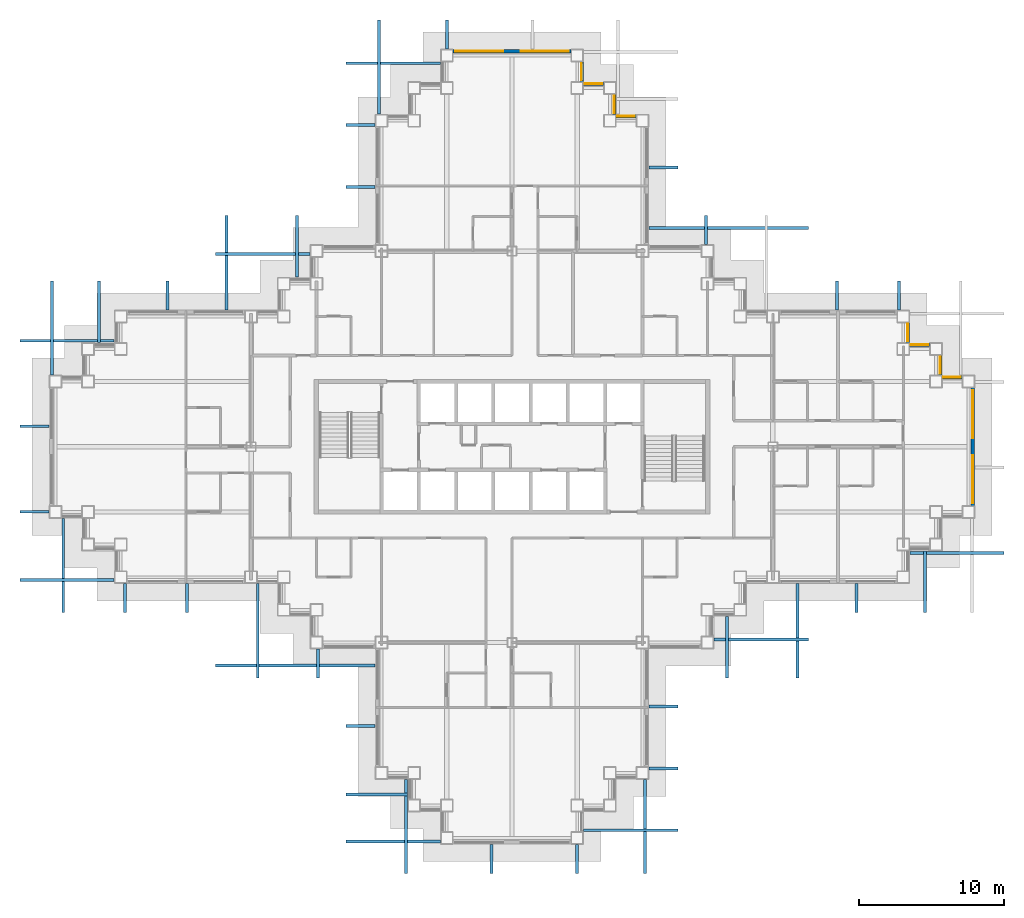
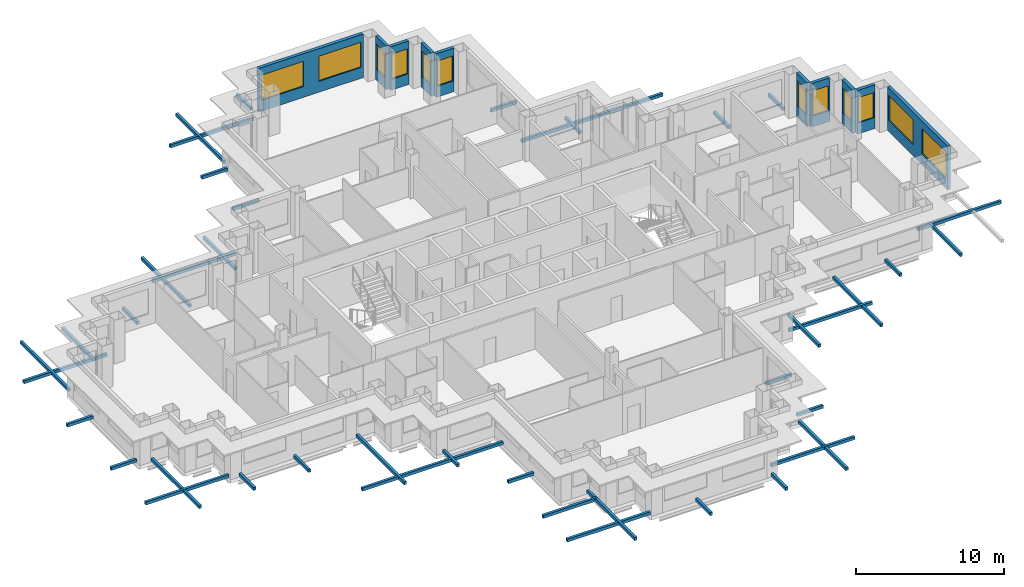
# One storey, part 11 of 17: 42 discrete accessories, 12 windows, 10 walls, 12 openings.
"""IFC4 building model written with IfcOpenShell, lengths in metres."""

from ifc_helpers import new_model, si_unit, direction, frame, frame_2d, origin, origin_2d, place, context, subcontext, project, spatial, rectangle, extrude, material, layer, layer_set, type_object, element, fill, save


model = new_model("IFC4")

# Units and contexts
model_context = context("Model", 3, precision=1e-05, world=origin(), true_north=direction((0.0, 1.0)))
body_context = subcontext(model_context, "Body", "Model", "MODEL_VIEW")
ifc_project = project(units=[si_unit("LENGTHUNIT", "METRE"), si_unit("AREAUNIT", "SQUARE_METRE"), si_unit("VOLUMEUNIT", "CUBIC_METRE"), si_unit("PLANEANGLEUNIT", "RADIAN"), si_unit("MASSUNIT", "GRAM", prefix="KILO")], contexts=[model_context])

# Site, building, storey
site_placement = place(None, origin())
site = spatial("IfcSite", under=ifc_project, at=site_placement, CompositionType="ELEMENT")
building_placement = place(site_placement, origin())
building = spatial("IfcBuilding", under=site, at=building_placement, Name="Caravel Reach Hotel and Residences", CompositionType="ELEMENT")
storey_placement = place(building_placement, frame((0.0, 0.0, 126.0)))
storey = spatial("IfcBuildingStorey", under=building, at=storey_placement, Name="L31", CompositionType="ELEMENT", Elevation=126.0)

# Wall, openings, windows
ifc_material_1 = material(Name="Insulated rainscreen wall, aluminium cladding", Category="aluminium")
ifc_layer = layer(ifc_material_1, 0.25)
ifc_layer_set = layer_set([ifc_layer], Name="EW1 Tower rainscreen wall")
wall_type = type_object("IfcWallType", Name="EW1 Tower rainscreen wall", PredefinedType="SOLIDWALL", material=ifc_layer_set)
wall_1_placement = place(storey_placement, frame((63.300048828125, 22.925048828125, 0.0), z_axis=(0.0, 0.0, 1.0), x_axis=(0.0, 1.0, 0.0)))
wall_1 = element("IfcWall", 1, at=wall_1_placement, inside=storey, type_object=wall_type, Name="External wall L31 E20.1", PredefinedType="SOLIDWALL", context=body_context, shape_type="SweptSolid", body=[
    extrude(rectangle(XDim=8.14990234375, YDim=0.25, at=frame_2d((4.074951171875, 0.0))), origin(), (0.0, 0.0, 1.0), 3.60009765625),
])
opening_1_placement = place(wall_1_placement, frame((0.175048828125, 0.0, 0.89990234375)))
opening_1 = element("IfcOpeningElement", 2, at=opening_1_placement, cuts=wall_1, Name="Opening WN4", PredefinedType="OPENING", context=body_context, shape_type="SweptSolid", body=[
    extrude(rectangle(XDim=3.300048828125, YDim=2.080078125, at=frame_2d((1.64990234375, 1.0400390625))), frame((0.0, 0.135009765625, 0.0), z_axis=(0.0, -1.0, 0.0), x_axis=(1.0, 0.0, 0.0)), (0.0, 0.0, 1.0), 0.27001953125),
])
opening_2_placement = place(wall_1_placement, frame((4.675048828125, 0.0, 0.89990234375)))
opening_2 = element("IfcOpeningElement", 3, at=opening_2_placement, cuts=wall_1, Name="Opening WN4", PredefinedType="OPENING", context=body_context, shape_type="SweptSolid", body=[
    extrude(rectangle(XDim=3.300048828125, YDim=2.080078125, at=frame_2d((1.64990234375, 1.0400390625))), frame((0.0, 0.135009765625, 0.0), z_axis=(0.0, -1.0, 0.0), x_axis=(1.0, 0.0, 0.0)), (0.0, 0.0, 1.0), 0.27001953125),
])
ifc_material_2 = material(Name="Dark low-e glazing in black aluminium frame", Category="aluminium")
window_type_1 = type_object("IfcWindowType", Name="Hotel guest room window 3300 x 2080", PartitioningType="SINGLE_PANEL", PredefinedType="WINDOW", material=ifc_material_2)
window_1_placement = place(opening_1_placement, origin())
window_1 = element("IfcWindow", 4, at=window_1_placement, inside=storey, type_object=window_type_1, Name="Window L31 E20.1.1", OverallHeight=2.080078125, OverallWidth=3.300048828125, PartitioningType="SINGLE_PANEL", PredefinedType="WINDOW", context=body_context, shape_type="SweptSolid", body=[
    extrude(rectangle(XDim=3.300048828125, YDim=2.080078125, at=frame_2d((1.64990234375, 1.0400390625))), frame((0.0, 0.030029296875, 0.0), z_axis=(0.0, -1.0, 0.0), x_axis=(1.0, 0.0, 0.0)), (0.0, 0.0, 1.0), 0.06005859375),
])
fill(opening_1, window_1)
window_2_placement = place(opening_2_placement, origin())
window_2 = element("IfcWindow", 5, at=window_2_placement, inside=storey, type_object=window_type_1, Name="Window L31 E20.1.2", OverallHeight=2.080078125, OverallWidth=3.300048828125, PartitioningType="SINGLE_PANEL", PredefinedType="WINDOW", context=body_context, shape_type="SweptSolid", body=[
    extrude(rectangle(XDim=3.300048828125, YDim=2.080078125, at=frame_2d((1.64990234375, 1.0400390625))), frame((0.0, 0.030029296875, 0.0), z_axis=(0.0, -1.0, 0.0), x_axis=(1.0, 0.0, 0.0)), (0.0, 0.0, 1.0), 0.06005859375),
])
fill(opening_2, window_2)

# Wall, opening, window
wall_2_placement = place(storey_placement, frame((62.574951171875, 31.800048828125, 0.0), z_axis=(0.0, 0.0, 1.0), x_axis=(-1.0, 0.0, 0.0)))
wall_2 = element("IfcWall", 6, at=wall_2_placement, inside=storey, type_object=wall_type, Name="External wall L31 N21.1", PredefinedType="SOLIDWALL", context=body_context, shape_type="SweptSolid", body=[
    extrude(rectangle(XDim=1.39990234375, YDim=0.25, at=frame_2d((0.699951171875, 0.0))), origin(), (0.0, 0.0, 1.0), 3.60009765625),
])
opening_3_placement = place(wall_2_placement, frame((0.10009765625, 0.0, 0.89990234375)))
opening_3 = element("IfcOpeningElement", 7, at=opening_3_placement, cuts=wall_2, Name="Opening WN9", PredefinedType="OPENING", context=body_context, shape_type="SweptSolid", body=[
    extrude(rectangle(XDim=1.199951171875, YDim=2.080078125, at=frame_2d((0.60009765625, 1.0400390625))), frame((0.0, 0.135009765625, 0.0), z_axis=(0.0, -1.0, 0.0), x_axis=(1.0, 0.0, 0.0)), (0.0, 0.0, 1.0), 0.27001953125),
])
ifc_material_3 = material(Name="Dark low-e glazing in black aluminium frame", Category="aluminium")
window_type_2 = type_object("IfcWindowType", Name="Hotel suite corner window 1200 x 2080", PartitioningType="SINGLE_PANEL", PredefinedType="WINDOW", material=ifc_material_3)
window_3_placement = place(opening_3_placement, origin())
window_3 = element("IfcWindow", 8, at=window_3_placement, inside=storey, type_object=window_type_2, Name="Window L31 N21.1.1", OverallHeight=2.080078125, OverallWidth=1.199951171875, PartitioningType="SINGLE_PANEL", PredefinedType="WINDOW", context=body_context, shape_type="SweptSolid", body=[
    extrude(rectangle(XDim=1.199951171875, YDim=2.080078125, at=frame_2d((0.60009765625, 1.0400390625))), frame((0.0, 0.030029296875, 0.0), z_axis=(0.0, -1.0, 0.0), x_axis=(1.0, 0.0, 0.0)), (0.0, 0.0, 1.0), 0.06005859375),
])
fill(opening_3, window_3)

wall_3_placement = place(storey_placement, frame((61.050048828125, 31.925048828125, 0.0), z_axis=(0.0, 0.0, 1.0), x_axis=(0.0, 1.0, 0.0)))
wall_3 = element("IfcWall", 9, at=wall_3_placement, inside=storey, type_object=wall_type, Name="External wall L31 E22.1", PredefinedType="SOLIDWALL", context=body_context, shape_type="SweptSolid", body=[
    extrude(rectangle(XDim=1.39990234375, YDim=0.25, at=frame_2d((0.699951171875, 0.0))), origin(), (0.0, 0.0, 1.0), 3.60009765625),
])
opening_4_placement = place(wall_3_placement, frame((0.10009765625, 0.0, 0.89990234375)))
opening_4 = element("IfcOpeningElement", 10, at=opening_4_placement, cuts=wall_3, Name="Opening WN9", PredefinedType="OPENING", context=body_context, shape_type="SweptSolid", body=[
    extrude(rectangle(XDim=1.199951171875, YDim=2.080078125, at=frame_2d((0.60009765625, 1.0400390625))), frame((0.0, 0.135009765625, 0.0), z_axis=(0.0, -1.0, 0.0), x_axis=(1.0, 0.0, 0.0)), (0.0, 0.0, 1.0), 0.27001953125),
])
window_4_placement = place(opening_4_placement, origin())
window_4 = element("IfcWindow", 11, at=window_4_placement, inside=storey, type_object=window_type_2, Name="Window L31 E22.1.1", OverallHeight=2.080078125, OverallWidth=1.199951171875, PartitioningType="SINGLE_PANEL", PredefinedType="WINDOW", context=body_context, shape_type="SweptSolid", body=[
    extrude(rectangle(XDim=1.199951171875, YDim=2.080078125, at=frame_2d((0.60009765625, 1.0400390625))), frame((0.0, 0.030029296875, 0.0), z_axis=(0.0, -1.0, 0.0), x_axis=(1.0, 0.0, 0.0)), (0.0, 0.0, 1.0), 0.06005859375),
])
fill(opening_4, window_4)

wall_4_placement = place(storey_placement, frame((60.324951171875, 34.050048828125, 0.0), z_axis=(0.0, 0.0, 1.0), x_axis=(-1.0, 0.0, 0.0)))
wall_4 = element("IfcWall", 12, at=wall_4_placement, inside=storey, type_object=wall_type, Name="External wall L31 N23.1", PredefinedType="SOLIDWALL", context=body_context, shape_type="SweptSolid", body=[
    extrude(rectangle(XDim=1.39990234375, YDim=0.25, at=frame_2d((0.699951171875, 0.0))), origin(), (0.0, 0.0, 1.0), 3.60009765625),
])
opening_5_placement = place(wall_4_placement, frame((0.10009765625, 0.0, 0.89990234375)))
opening_5 = element("IfcOpeningElement", 13, at=opening_5_placement, cuts=wall_4, Name="Opening WN9", PredefinedType="OPENING", context=body_context, shape_type="SweptSolid", body=[
    extrude(rectangle(XDim=1.199951171875, YDim=2.080078125, at=frame_2d((0.60009765625, 1.0400390625))), frame((0.0, 0.135009765625, 0.0), z_axis=(0.0, -1.0, 0.0), x_axis=(1.0, 0.0, 0.0)), (0.0, 0.0, 1.0), 0.27001953125),
])
window_5_placement = place(opening_5_placement, origin())
window_5 = element("IfcWindow", 14, at=window_5_placement, inside=storey, type_object=window_type_2, Name="Window L31 N23.1.1", OverallHeight=2.080078125, OverallWidth=1.199951171875, PartitioningType="SINGLE_PANEL", PredefinedType="WINDOW", context=body_context, shape_type="SweptSolid", body=[
    extrude(rectangle(XDim=1.199951171875, YDim=2.080078125, at=frame_2d((0.60009765625, 1.0400390625))), frame((0.0, 0.030029296875, 0.0), z_axis=(0.0, -1.0, 0.0), x_axis=(1.0, 0.0, 0.0)), (0.0, 0.0, 1.0), 0.06005859375),
])
fill(opening_5, window_5)

wall_5_placement = place(storey_placement, frame((58.800048828125, 34.175048828125, 0.0), z_axis=(0.0, 0.0, 1.0), x_axis=(0.0, 1.0, 0.0)))
wall_5 = element("IfcWall", 15, at=wall_5_placement, inside=storey, type_object=wall_type, Name="External wall L31 E24.1", PredefinedType="SOLIDWALL", context=body_context, shape_type="SweptSolid", body=[
    extrude(rectangle(XDim=1.39990234375, YDim=0.25, at=frame_2d((0.699951171875, 0.0))), origin(), (0.0, 0.0, 1.0), 3.60009765625),
])
opening_6_placement = place(wall_5_placement, frame((0.10009765625, 0.0, 0.89990234375)))
opening_6 = element("IfcOpeningElement", 16, at=opening_6_placement, cuts=wall_5, Name="Opening WN9", PredefinedType="OPENING", context=body_context, shape_type="SweptSolid", body=[
    extrude(rectangle(XDim=1.199951171875, YDim=2.080078125, at=frame_2d((0.60009765625, 1.0400390625))), frame((0.0, 0.135009765625, 0.0), z_axis=(0.0, -1.0, 0.0), x_axis=(1.0, 0.0, 0.0)), (0.0, 0.0, 1.0), 0.27001953125),
])
window_6_placement = place(opening_6_placement, origin())
window_6 = element("IfcWindow", 17, at=window_6_placement, inside=storey, type_object=window_type_2, Name="Window L31 E24.1.1", OverallHeight=2.080078125, OverallWidth=1.199951171875, PartitioningType="SINGLE_PANEL", PredefinedType="WINDOW", context=body_context, shape_type="SweptSolid", body=[
    extrude(rectangle(XDim=1.199951171875, YDim=2.080078125, at=frame_2d((0.60009765625, 1.0400390625))), frame((0.0, 0.030029296875, 0.0), z_axis=(0.0, -1.0, 0.0), x_axis=(1.0, 0.0, 0.0)), (0.0, 0.0, 1.0), 0.06005859375),
])
fill(opening_6, window_6)

wall_6_placement = place(storey_placement, frame((40.074951171875, 49.800048828125, 0.0), z_axis=(0.0, 0.0, 1.0), x_axis=(-1.0, 0.0, 0.0)))
wall_6 = element("IfcWall", 18, at=wall_6_placement, inside=storey, type_object=wall_type, Name="External wall L31 N31.1", PredefinedType="SOLIDWALL", context=body_context, shape_type="SweptSolid", body=[
    extrude(rectangle(XDim=1.39990234375, YDim=0.25, at=frame_2d((0.699951171875, 0.0))), origin(), (0.0, 0.0, 1.0), 3.60009765625),
])
opening_7_placement = place(wall_6_placement, frame((0.10009765625, 0.0, 0.89990234375)))
opening_7 = element("IfcOpeningElement", 19, at=opening_7_placement, cuts=wall_6, Name="Opening WN9", PredefinedType="OPENING", context=body_context, shape_type="SweptSolid", body=[
    extrude(rectangle(XDim=1.199951171875, YDim=2.080078125, at=frame_2d((0.60009765625, 1.0400390625))), frame((0.0, 0.135009765625, 0.0), z_axis=(0.0, -1.0, 0.0), x_axis=(1.0, 0.0, 0.0)), (0.0, 0.0, 1.0), 0.27001953125),
])
window_7_placement = place(opening_7_placement, origin())
window_7 = element("IfcWindow", 20, at=window_7_placement, inside=storey, type_object=window_type_2, Name="Window L31 N31.1.1", OverallHeight=2.080078125, OverallWidth=1.199951171875, PartitioningType="SINGLE_PANEL", PredefinedType="WINDOW", context=body_context, shape_type="SweptSolid", body=[
    extrude(rectangle(XDim=1.199951171875, YDim=2.080078125, at=frame_2d((0.60009765625, 1.0400390625))), frame((0.0, 0.030029296875, 0.0), z_axis=(0.0, -1.0, 0.0), x_axis=(1.0, 0.0, 0.0)), (0.0, 0.0, 1.0), 0.06005859375),
])
fill(opening_7, window_7)

wall_7_placement = place(storey_placement, frame((38.550048828125, 49.925048828125, 0.0), z_axis=(0.0, 0.0, 1.0), x_axis=(0.0, 1.0, 0.0)))
wall_7 = element("IfcWall", 21, at=wall_7_placement, inside=storey, type_object=wall_type, Name="External wall L31 E32.1", PredefinedType="SOLIDWALL", context=body_context, shape_type="SweptSolid", body=[
    extrude(rectangle(XDim=1.39990234375, YDim=0.25, at=frame_2d((0.699951171875, 0.0))), origin(), (0.0, 0.0, 1.0), 3.60009765625),
])
opening_8_placement = place(wall_7_placement, frame((0.10009765625, 0.0, 0.89990234375)))
opening_8 = element("IfcOpeningElement", 22, at=opening_8_placement, cuts=wall_7, Name="Opening WN9", PredefinedType="OPENING", context=body_context, shape_type="SweptSolid", body=[
    extrude(rectangle(XDim=1.199951171875, YDim=2.080078125, at=frame_2d((0.60009765625, 1.0400390625))), frame((0.0, 0.135009765625, 0.0), z_axis=(0.0, -1.0, 0.0), x_axis=(1.0, 0.0, 0.0)), (0.0, 0.0, 1.0), 0.27001953125),
])
window_8_placement = place(opening_8_placement, origin())
window_8 = element("IfcWindow", 23, at=window_8_placement, inside=storey, type_object=window_type_2, Name="Window L31 E32.1.1", OverallHeight=2.080078125, OverallWidth=1.199951171875, PartitioningType="SINGLE_PANEL", PredefinedType="WINDOW", context=body_context, shape_type="SweptSolid", body=[
    extrude(rectangle(XDim=1.199951171875, YDim=2.080078125, at=frame_2d((0.60009765625, 1.0400390625))), frame((0.0, 0.030029296875, 0.0), z_axis=(0.0, -1.0, 0.0), x_axis=(1.0, 0.0, 0.0)), (0.0, 0.0, 1.0), 0.06005859375),
])
fill(opening_8, window_8)

wall_8_placement = place(storey_placement, frame((37.824951171875, 52.050048828125, 0.0), z_axis=(0.0, 0.0, 1.0), x_axis=(-1.0, 0.0, 0.0)))
wall_8 = element("IfcWall", 24, at=wall_8_placement, inside=storey, type_object=wall_type, Name="External wall L31 N33.1", PredefinedType="SOLIDWALL", context=body_context, shape_type="SweptSolid", body=[
    extrude(rectangle(XDim=1.39990234375, YDim=0.25, at=frame_2d((0.699951171875, 0.0))), origin(), (0.0, 0.0, 1.0), 3.60009765625),
])
opening_9_placement = place(wall_8_placement, frame((0.10009765625, 0.0, 0.89990234375)))
opening_9 = element("IfcOpeningElement", 25, at=opening_9_placement, cuts=wall_8, Name="Opening WN9", PredefinedType="OPENING", context=body_context, shape_type="SweptSolid", body=[
    extrude(rectangle(XDim=1.199951171875, YDim=2.080078125, at=frame_2d((0.60009765625, 1.0400390625))), frame((0.0, 0.135009765625, 0.0), z_axis=(0.0, -1.0, 0.0), x_axis=(1.0, 0.0, 0.0)), (0.0, 0.0, 1.0), 0.27001953125),
])
window_9_placement = place(opening_9_placement, origin())
window_9 = element("IfcWindow", 26, at=window_9_placement, inside=storey, type_object=window_type_2, Name="Window L31 N33.1.1", OverallHeight=2.080078125, OverallWidth=1.199951171875, PartitioningType="SINGLE_PANEL", PredefinedType="WINDOW", context=body_context, shape_type="SweptSolid", body=[
    extrude(rectangle(XDim=1.199951171875, YDim=2.080078125, at=frame_2d((0.60009765625, 1.0400390625))), frame((0.0, 0.030029296875, 0.0), z_axis=(0.0, -1.0, 0.0), x_axis=(1.0, 0.0, 0.0)), (0.0, 0.0, 1.0), 0.06005859375),
])
fill(opening_9, window_9)

wall_9_placement = place(storey_placement, frame((36.300048828125, 52.175048828125, 0.0), z_axis=(0.0, 0.0, 1.0), x_axis=(0.0, 1.0, 0.0)))
wall_9 = element("IfcWall", 27, at=wall_9_placement, inside=storey, type_object=wall_type, Name="External wall L31 E34.1", PredefinedType="SOLIDWALL", context=body_context, shape_type="SweptSolid", body=[
    extrude(rectangle(XDim=1.39990234375, YDim=0.25, at=frame_2d((0.699951171875, 0.0))), origin(), (0.0, 0.0, 1.0), 3.60009765625),
])
opening_10_placement = place(wall_9_placement, frame((0.10009765625, 0.0, 0.89990234375)))
opening_10 = element("IfcOpeningElement", 28, at=opening_10_placement, cuts=wall_9, Name="Opening WN9", PredefinedType="OPENING", context=body_context, shape_type="SweptSolid", body=[
    extrude(rectangle(XDim=1.199951171875, YDim=2.080078125, at=frame_2d((0.60009765625, 1.0400390625))), frame((0.0, 0.135009765625, 0.0), z_axis=(0.0, -1.0, 0.0), x_axis=(1.0, 0.0, 0.0)), (0.0, 0.0, 1.0), 0.27001953125),
])
window_10_placement = place(opening_10_placement, origin())
window_10 = element("IfcWindow", 29, at=window_10_placement, inside=storey, type_object=window_type_2, Name="Window L31 E34.1.1", OverallHeight=2.080078125, OverallWidth=1.199951171875, PartitioningType="SINGLE_PANEL", PredefinedType="WINDOW", context=body_context, shape_type="SweptSolid", body=[
    extrude(rectangle(XDim=1.199951171875, YDim=2.080078125, at=frame_2d((0.60009765625, 1.0400390625))), frame((0.0, 0.030029296875, 0.0), z_axis=(0.0, -1.0, 0.0), x_axis=(1.0, 0.0, 0.0)), (0.0, 0.0, 1.0), 0.06005859375),
])
fill(opening_10, window_10)

# Wall, openings, windows
wall_10_placement = place(storey_placement, frame((35.574951171875, 54.300048828125, 0.0), z_axis=(0.0, 0.0, 1.0), x_axis=(-1.0, 0.0, 0.0)))
wall_10 = element("IfcWall", 30, at=wall_10_placement, inside=storey, type_object=wall_type, Name="External wall L31 N35.1", PredefinedType="SOLIDWALL", context=body_context, shape_type="SweptSolid", body=[
    extrude(rectangle(XDim=8.14990234375, YDim=0.25, at=frame_2d((4.074951171875, 0.0))), origin(), (0.0, 0.0, 1.0), 3.60009765625),
])
opening_11_placement = place(wall_10_placement, frame((0.175048828125, 0.0, 0.89990234375)))
opening_11 = element("IfcOpeningElement", 31, at=opening_11_placement, cuts=wall_10, Name="Opening WN4", PredefinedType="OPENING", context=body_context, shape_type="SweptSolid", body=[
    extrude(rectangle(XDim=3.300048828125, YDim=2.080078125, at=frame_2d((1.64990234375, 1.0400390625))), frame((0.0, 0.135009765625, 0.0), z_axis=(0.0, -1.0, 0.0), x_axis=(1.0, 0.0, 0.0)), (0.0, 0.0, 1.0), 0.27001953125),
])
opening_12_placement = place(wall_10_placement, frame((4.675048828125, 0.0, 0.89990234375)))
opening_12 = element("IfcOpeningElement", 32, at=opening_12_placement, cuts=wall_10, Name="Opening WN4", PredefinedType="OPENING", context=body_context, shape_type="SweptSolid", body=[
    extrude(rectangle(XDim=3.300048828125, YDim=2.080078125, at=frame_2d((1.64990234375, 1.0400390625))), frame((0.0, 0.135009765625, 0.0), z_axis=(0.0, -1.0, 0.0), x_axis=(1.0, 0.0, 0.0)), (0.0, 0.0, 1.0), 0.27001953125),
])
window_11_placement = place(opening_11_placement, origin())
window_11 = element("IfcWindow", 33, at=window_11_placement, inside=storey, type_object=window_type_1, Name="Window L31 N35.1.1", OverallHeight=2.080078125, OverallWidth=3.300048828125, PartitioningType="SINGLE_PANEL", PredefinedType="WINDOW", context=body_context, shape_type="SweptSolid", body=[
    extrude(rectangle(XDim=3.300048828125, YDim=2.080078125, at=frame_2d((1.64990234375, 1.0400390625))), frame((0.0, 0.030029296875, 0.0), z_axis=(0.0, -1.0, 0.0), x_axis=(1.0, 0.0, 0.0)), (0.0, 0.0, 1.0), 0.06005859375),
])
fill(opening_11, window_11)
window_12_placement = place(opening_12_placement, origin())
window_12 = element("IfcWindow", 34, at=window_12_placement, inside=storey, type_object=window_type_1, Name="Window L31 N35.1.2", OverallHeight=2.080078125, OverallWidth=3.300048828125, PartitioningType="SINGLE_PANEL", PredefinedType="WINDOW", context=body_context, shape_type="SweptSolid", body=[
    extrude(rectangle(XDim=3.300048828125, YDim=2.080078125, at=frame_2d((1.64990234375, 1.0400390625))), frame((0.0, 0.030029296875, 0.0), z_axis=(0.0, -1.0, 0.0), x_axis=(1.0, 0.0, 0.0)), (0.0, 0.0, 1.0), 0.06005859375),
])
fill(opening_12, window_12)

# Discrete accessories
ifc_material_4 = material(Name="Black powder-coated aluminium", Category="aluminium")
discrete_accessory_type = type_object("IfcDiscreteAccessoryType", Name="BR1 Screen bracket", PredefinedType="BRACKET", material=ifc_material_4)
discrete_accessory_1_placement = place(storey_placement, frame((21.050048828125, 7.736572265625, 0.10009765625), z_axis=(0.0, 0.0, 1.0), x_axis=(-1.0, 0.0, 0.0)))
element("IfcDiscreteAccessory", 35, at=discrete_accessory_1_placement, inside=storey, type_object=discrete_accessory_type, Name="Screen bracket L31 1.1.2", PredefinedType="BRACKET", context=body_context, shape_type="SweptSolid", body=[
    extrude(rectangle(XDim=2.0, YDim=0.199951171875, at=origin_2d()), origin(), (0.0, 0.0, 1.0), 0.25),
])
discrete_accessory_2_placement = place(storey_placement, frame((22.175048828125, 3.00341796875, 0.10009765625), z_axis=(0.0, 0.0, 1.0), x_axis=(-1.0, 0.0, 0.0)))
element("IfcDiscreteAccessory", 36, at=discrete_accessory_2_placement, inside=storey, type_object=discrete_accessory_type, Name="Screen bracket L31 1.2.2", PredefinedType="BRACKET", context=body_context, shape_type="SweptSolid", body=[
    extrude(rectangle(XDim=4.25, YDim=0.199951171875, at=origin_2d()), origin(), (0.0, 0.0, 1.0), 0.25),
])
for number, where, z_axis, x_axis, name in (
    (37, (23.300048828125, -0.22998046875, 0.10009765625), (0.0, 0.0, 1.0), (-1.0, 0.0, 0.0), "Screen bracket L31 1.3.2"),
    (38, (24.179931640625, 0.800048828125, 0.10009765625), (0.0, 0.0, 1.0), (0.0, -1.0, 0.0), "Screen bracket L31 2.1.2"),
):
    element("IfcDiscreteAccessory", number, at=place(storey_placement, frame(where, z_axis=z_axis, x_axis=x_axis)), inside=storey, type_object=discrete_accessory_type, Name=name, PredefinedType="BRACKET", context=body_context, shape_type="SweptSolid", body=[
        extrude(rectangle(XDim=6.5, YDim=0.199951171875, at=origin_2d()), origin(), (0.0, 0.0, 1.0), 0.25),
    ])
for number, where, z_axis, x_axis, name in (
    (39, (30.080078125, -1.449951171875, 0.10009765625), (0.0, 0.0, 1.0), (0.0, -1.0, 0.0), "Screen bracket L31 2.2.2"),
    (40, (35.97998046875, -1.449951171875, 0.10009765625), (0.0, 0.0, 1.0), (0.0, -1.0, 0.0), "Screen bracket L31 2.3.2"),
):
    element("IfcDiscreteAccessory", number, at=place(storey_placement, frame(where, z_axis=z_axis, x_axis=x_axis)), inside=storey, type_object=discrete_accessory_type, Name=name, PredefinedType="BRACKET", context=body_context, shape_type="SweptSolid", body=[
        extrude(rectangle(XDim=2.0, YDim=0.199951171875, at=origin_2d()), origin(), (0.0, 0.0, 1.0), 0.25),
    ])
for number, where, z_axis, x_axis, name in (
    (41, (40.679931640625, 0.800048828125, 0.10009765625), (0.0, 0.0, 1.0), (0.0, -1.0, 0.0), "Screen bracket L31 2.4.2"),
    (42, (39.699951171875, 0.53662109375, 0.10009765625), (0.0, 0.0, 1.0), (1.0, 0.0, 0.0), "Screen bracket L31 3.1.2"),
):
    element("IfcDiscreteAccessory", number, at=place(storey_placement, frame(where, z_axis=z_axis, x_axis=x_axis)), inside=storey, type_object=discrete_accessory_type, Name=name, PredefinedType="BRACKET", context=body_context, shape_type="SweptSolid", body=[
        extrude(rectangle(XDim=6.5, YDim=0.199951171875, at=origin_2d()), origin(), (0.0, 0.0, 1.0), 0.25),
    ])
for number, where, z_axis, x_axis, name in (
    (43, (41.949951171875, 4.80322265625, 0.10009765625), (0.0, 0.0, 1.0), (1.0, 0.0, 0.0), "Screen bracket L31 3.2.2"),
    (44, (41.949951171875, 9.070068359375, 0.10009765625), (0.0, 0.0, 1.0), (1.0, 0.0, 0.0), "Screen bracket L31 3.3.2"),
):
    element("IfcDiscreteAccessory", number, at=place(storey_placement, frame(where, z_axis=z_axis, x_axis=x_axis)), inside=storey, type_object=discrete_accessory_type, Name=name, PredefinedType="BRACKET", context=body_context, shape_type="SweptSolid", body=[
        extrude(rectangle(XDim=2.0, YDim=0.199951171875, at=origin_2d()), origin(), (0.0, 0.0, 1.0), 0.25),
    ])
discrete_accessory_3_placement = place(storey_placement, frame((46.344970703125, 13.175048828125, 0.10009765625), z_axis=(0.0, 0.0, 1.0), x_axis=(0.0, -1.0, 0.0)))
element("IfcDiscreteAccessory", 45, at=discrete_accessory_3_placement, inside=storey, type_object=discrete_accessory_type, Name="Screen bracket L31 4.1.2", PredefinedType="BRACKET", context=body_context, shape_type="SweptSolid", body=[
    extrude(rectangle(XDim=4.25, YDim=0.199951171875, at=origin_2d()), origin(), (0.0, 0.0, 1.0), 0.25),
])
for number, where, z_axis, x_axis, name in (
    (46, (51.195068359375, 14.300048828125, 0.10009765625), (0.0, 0.0, 1.0), (0.0, -1.0, 0.0), "Screen bracket L31 4.2.2"),
    (47, (48.699951171875, 13.7099609375, 0.10009765625), (0.0, 0.0, 1.0), (1.0, 0.0, 0.0), "Screen bracket L31 5.1.2"),
):
    element("IfcDiscreteAccessory", number, at=place(storey_placement, frame(where, z_axis=z_axis, x_axis=x_axis)), inside=storey, type_object=discrete_accessory_type, Name=name, PredefinedType="BRACKET", context=body_context, shape_type="SweptSolid", body=[
        extrude(rectangle(XDim=6.5, YDim=0.199951171875, at=origin_2d()), origin(), (0.0, 0.0, 1.0), 0.25),
    ])
discrete_accessory_4_placement = place(storey_placement, frame((55.263427734375, 16.550048828125, 0.10009765625), z_axis=(0.0, 0.0, 1.0), x_axis=(0.0, -1.0, 0.0)))
element("IfcDiscreteAccessory", 48, at=discrete_accessory_4_placement, inside=storey, type_object=discrete_accessory_type, Name="Screen bracket L31 6.1.2", PredefinedType="BRACKET", context=body_context, shape_type="SweptSolid", body=[
    extrude(rectangle(XDim=2.0, YDim=0.199951171875, at=origin_2d()), origin(), (0.0, 0.0, 1.0), 0.25),
])
discrete_accessory_5_placement = place(storey_placement, frame((59.99658203125, 17.675048828125, 0.10009765625), z_axis=(0.0, 0.0, 1.0), x_axis=(0.0, -1.0, 0.0)))
element("IfcDiscreteAccessory", 49, at=discrete_accessory_5_placement, inside=storey, type_object=discrete_accessory_type, Name="Screen bracket L31 6.2.2", PredefinedType="BRACKET", context=body_context, shape_type="SweptSolid", body=[
    extrude(rectangle(XDim=4.25, YDim=0.199951171875, at=origin_2d()), origin(), (0.0, 0.0, 1.0), 0.25),
])
discrete_accessory_6_placement = place(storey_placement, frame((62.199951171875, 19.679931640625, 0.10009765625), z_axis=(0.0, 0.0, 1.0), x_axis=(1.0, 0.0, 0.0)))
element("IfcDiscreteAccessory", 50, at=discrete_accessory_6_placement, inside=storey, type_object=discrete_accessory_type, Name="Screen bracket L31 7.1.2", PredefinedType="BRACKET", context=body_context, shape_type="SweptSolid", body=[
    extrude(rectangle(XDim=6.5, YDim=0.199951171875, at=origin_2d()), origin(), (0.0, 0.0, 1.0), 0.25),
])
for number, where, z_axis, x_axis, name in (
    (51, (58.19677734375, 37.449951171875, 0.10009765625), (0.0, 0.0, 1.0), (0.0, 1.0, 0.0), "Screen bracket L31 8.2.2"),
    (52, (53.929931640625, 37.449951171875, 0.10009765625), (0.0, 0.0, 1.0), (0.0, 1.0, 0.0), "Screen bracket L31 8.3.2"),
):
    element("IfcDiscreteAccessory", number, at=place(storey_placement, frame(where, z_axis=z_axis, x_axis=x_axis)), inside=storey, type_object=discrete_accessory_type, Name=name, PredefinedType="BRACKET", context=body_context, shape_type="SweptSolid", body=[
        extrude(rectangle(XDim=2.0, YDim=0.199951171875, at=origin_2d()), origin(), (0.0, 0.0, 1.0), 0.25),
    ])
discrete_accessory_7_placement = place(storey_placement, frame((46.449951171875, 42.090087890625, 0.10009765625), z_axis=(0.0, 0.0, 1.0), x_axis=(1.0, 0.0, 0.0)))
element("IfcDiscreteAccessory", 53, at=discrete_accessory_7_placement, inside=storey, type_object=discrete_accessory_type, Name="Screen bracket L31 9.1.2", PredefinedType="BRACKET", context=body_context, shape_type="SweptSolid", body=[
    extrude(rectangle(XDim=11.0, YDim=0.199951171875, at=origin_2d()), origin(), (0.0, 0.0, 1.0), 0.25),
])
for number, where, z_axis, x_axis, name in (
    (54, (44.89501953125, 41.949951171875, 0.10009765625), (0.0, 0.0, 1.0), (0.0, 1.0, 0.0), "Screen bracket L31 10.2.2"),
    (55, (41.949951171875, 46.263427734375, 0.10009765625), (0.0, 0.0, 1.0), (1.0, 0.0, 0.0), "Screen bracket L31 11.1.2"),
    (56, (27.02001953125, 55.449951171875, 0.10009765625), (0.0, 0.0, 1.0), (0.0, 1.0, 0.0), "Screen bracket L31 12.3.2"),
):
    element("IfcDiscreteAccessory", number, at=place(storey_placement, frame(where, z_axis=z_axis, x_axis=x_axis)), inside=storey, type_object=discrete_accessory_type, Name=name, PredefinedType="BRACKET", context=body_context, shape_type="SweptSolid", body=[
        extrude(rectangle(XDim=2.0, YDim=0.199951171875, at=origin_2d()), origin(), (0.0, 0.0, 1.0), 0.25),
    ])
for number, where, z_axis, x_axis, name in (
    (57, (22.320068359375, 53.199951171875, 0.10009765625), (0.0, 0.0, 1.0), (0.0, 1.0, 0.0), "Screen bracket L31 12.4.2"),
    (58, (23.300048828125, 53.46337890625, 0.10009765625), (0.0, 0.0, 1.0), (-1.0, 0.0, 0.0), "Screen bracket L31 13.1.2"),
):
    element("IfcDiscreteAccessory", number, at=place(storey_placement, frame(where, z_axis=z_axis, x_axis=x_axis)), inside=storey, type_object=discrete_accessory_type, Name=name, PredefinedType="BRACKET", context=body_context, shape_type="SweptSolid", body=[
        extrude(rectangle(XDim=6.5, YDim=0.199951171875, at=origin_2d()), origin(), (0.0, 0.0, 1.0), 0.25),
    ])
for number, where, z_axis, x_axis, name in (
    (59, (21.050048828125, 49.19677734375, 0.10009765625), (0.0, 0.0, 1.0), (-1.0, 0.0, 0.0), "Screen bracket L31 13.2.2"),
    (60, (21.050048828125, 44.929931640625, 0.10009765625), (0.0, 0.0, 1.0), (-1.0, 0.0, 0.0), "Screen bracket L31 13.3.2"),
):
    element("IfcDiscreteAccessory", number, at=place(storey_placement, frame(where, z_axis=z_axis, x_axis=x_axis)), inside=storey, type_object=discrete_accessory_type, Name=name, PredefinedType="BRACKET", context=body_context, shape_type="SweptSolid", body=[
        extrude(rectangle(XDim=2.0, YDim=0.199951171875, at=origin_2d()), origin(), (0.0, 0.0, 1.0), 0.25),
    ])
discrete_accessory_8_placement = place(storey_placement, frame((16.655029296875, 40.824951171875, 0.10009765625), z_axis=(0.0, 0.0, 1.0), x_axis=(0.0, 1.0, 0.0)))
element("IfcDiscreteAccessory", 61, at=discrete_accessory_8_placement, inside=storey, type_object=discrete_accessory_type, Name="Screen bracket L31 14.1.2", PredefinedType="BRACKET", context=body_context, shape_type="SweptSolid", body=[
    extrude(rectangle(XDim=4.25, YDim=0.199951171875, at=origin_2d()), origin(), (0.0, 0.0, 1.0), 0.25),
])
for number, where, z_axis, x_axis, name in (
    (62, (11.804931640625, 39.699951171875, 0.10009765625), (0.0, 0.0, 1.0), (0.0, 1.0, 0.0), "Screen bracket L31 14.2.2"),
    (63, (14.300048828125, 40.2900390625, 0.10009765625), (0.0, 0.0, 1.0), (-1.0, 0.0, 0.0), "Screen bracket L31 15.1.2"),
):
    element("IfcDiscreteAccessory", number, at=place(storey_placement, frame(where, z_axis=z_axis, x_axis=x_axis)), inside=storey, type_object=discrete_accessory_type, Name=name, PredefinedType="BRACKET", context=body_context, shape_type="SweptSolid", body=[
        extrude(rectangle(XDim=6.5, YDim=0.199951171875, at=origin_2d()), origin(), (0.0, 0.0, 1.0), 0.25),
    ])
discrete_accessory_9_placement = place(storey_placement, frame((7.736572265625, 37.449951171875, 0.10009765625), z_axis=(0.0, 0.0, 1.0), x_axis=(0.0, 1.0, 0.0)))
element("IfcDiscreteAccessory", 64, at=discrete_accessory_9_placement, inside=storey, type_object=discrete_accessory_type, Name="Screen bracket L31 16.1.2", PredefinedType="BRACKET", context=body_context, shape_type="SweptSolid", body=[
    extrude(rectangle(XDim=2.0, YDim=0.199951171875, at=origin_2d()), origin(), (0.0, 0.0, 1.0), 0.25),
])
discrete_accessory_10_placement = place(storey_placement, frame((3.00341796875, 36.324951171875, 0.10009765625), z_axis=(0.0, 0.0, 1.0), x_axis=(0.0, 1.0, 0.0)))
element("IfcDiscreteAccessory", 65, at=discrete_accessory_10_placement, inside=storey, type_object=discrete_accessory_type, Name="Screen bracket L31 16.2.2", PredefinedType="BRACKET", context=body_context, shape_type="SweptSolid", body=[
    extrude(rectangle(XDim=4.25, YDim=0.199951171875, at=origin_2d()), origin(), (0.0, 0.0, 1.0), 0.25),
])
for number, where, z_axis, x_axis, name in (
    (66, (-0.22998046875, 35.199951171875, 0.10009765625), (0.0, 0.0, 1.0), (0.0, 1.0, 0.0), "Screen bracket L31 16.3.2"),
    (67, (0.800048828125, 34.320068359375, 0.10009765625), (0.0, 0.0, 1.0), (-1.0, 0.0, 0.0), "Screen bracket L31 17.1.2"),
):
    element("IfcDiscreteAccessory", number, at=place(storey_placement, frame(where, z_axis=z_axis, x_axis=x_axis)), inside=storey, type_object=discrete_accessory_type, Name=name, PredefinedType="BRACKET", context=body_context, shape_type="SweptSolid", body=[
        extrude(rectangle(XDim=6.5, YDim=0.199951171875, at=origin_2d()), origin(), (0.0, 0.0, 1.0), 0.25),
    ])
for number, where, z_axis, x_axis, name in (
    (68, (-1.449951171875, 28.419921875, 0.10009765625), (0.0, 0.0, 1.0), (-1.0, 0.0, 0.0), "Screen bracket L31 17.2.2"),
    (69, (-1.449951171875, 22.52001953125, 0.10009765625), (0.0, 0.0, 1.0), (-1.0, 0.0, 0.0), "Screen bracket L31 17.3.2"),
):
    element("IfcDiscreteAccessory", number, at=place(storey_placement, frame(where, z_axis=z_axis, x_axis=x_axis)), inside=storey, type_object=discrete_accessory_type, Name=name, PredefinedType="BRACKET", context=body_context, shape_type="SweptSolid", body=[
        extrude(rectangle(XDim=2.0, YDim=0.199951171875, at=origin_2d()), origin(), (0.0, 0.0, 1.0), 0.25),
    ])
for number, where, z_axis, x_axis, name in (
    (70, (0.800048828125, 17.820068359375, 0.10009765625), (0.0, 0.0, 1.0), (-1.0, 0.0, 0.0), "Screen bracket L31 17.4.2"),
    (71, (0.53662109375, 18.800048828125, 0.10009765625), (0.0, 0.0, 1.0), (0.0, -1.0, 0.0), "Screen bracket L31 18.1.2"),
):
    element("IfcDiscreteAccessory", number, at=place(storey_placement, frame(where, z_axis=z_axis, x_axis=x_axis)), inside=storey, type_object=discrete_accessory_type, Name=name, PredefinedType="BRACKET", context=body_context, shape_type="SweptSolid", body=[
        extrude(rectangle(XDim=6.5, YDim=0.199951171875, at=origin_2d()), origin(), (0.0, 0.0, 1.0), 0.25),
    ])
for number, where, z_axis, x_axis, name in (
    (72, (4.80322265625, 16.550048828125, 0.10009765625), (0.0, 0.0, 1.0), (0.0, -1.0, 0.0), "Screen bracket L31 18.2.2"),
    (73, (9.070068359375, 16.550048828125, 0.10009765625), (0.0, 0.0, 1.0), (0.0, -1.0, 0.0), "Screen bracket L31 18.3.2"),
):
    element("IfcDiscreteAccessory", number, at=place(storey_placement, frame(where, z_axis=z_axis, x_axis=x_axis)), inside=storey, type_object=discrete_accessory_type, Name=name, PredefinedType="BRACKET", context=body_context, shape_type="SweptSolid", body=[
        extrude(rectangle(XDim=2.0, YDim=0.199951171875, at=origin_2d()), origin(), (0.0, 0.0, 1.0), 0.25),
    ])
discrete_accessory_11_placement = place(storey_placement, frame((16.550048828125, 11.909912109375, 0.10009765625), z_axis=(0.0, 0.0, 1.0), x_axis=(-1.0, 0.0, 0.0)))
element("IfcDiscreteAccessory", 74, at=discrete_accessory_11_placement, inside=storey, type_object=discrete_accessory_type, Name="Screen bracket L31 19.1.2", PredefinedType="BRACKET", context=body_context, shape_type="SweptSolid", body=[
    extrude(rectangle(XDim=11.0, YDim=0.199951171875, at=origin_2d()), origin(), (0.0, 0.0, 1.0), 0.25),
])
discrete_accessory_12_placement = place(storey_placement, frame((13.955078125, 14.300048828125, 0.10009765625), z_axis=(0.0, 0.0, 1.0), x_axis=(0.0, -1.0, 0.0)))
element("IfcDiscreteAccessory", 75, at=discrete_accessory_12_placement, inside=storey, type_object=discrete_accessory_type, Name="Screen bracket L31 20.1.2", PredefinedType="BRACKET", context=body_context, shape_type="SweptSolid", body=[
    extrude(rectangle(XDim=6.5, YDim=0.199951171875, at=origin_2d()), origin(), (0.0, 0.0, 1.0), 0.25),
])
discrete_accessory_13_placement = place(storey_placement, frame((18.10498046875, 12.050048828125, 0.10009765625), z_axis=(0.0, 0.0, 1.0), x_axis=(0.0, -1.0, 0.0)))
element("IfcDiscreteAccessory", 76, at=discrete_accessory_13_placement, inside=storey, type_object=discrete_accessory_type, Name="Screen bracket L31 20.2.2", PredefinedType="BRACKET", context=body_context, shape_type="SweptSolid", body=[
    extrude(rectangle(XDim=2.0, YDim=0.199951171875, at=origin_2d()), origin(), (0.0, 0.0, 1.0), 0.25),
])

save(model, "model.ifc")
